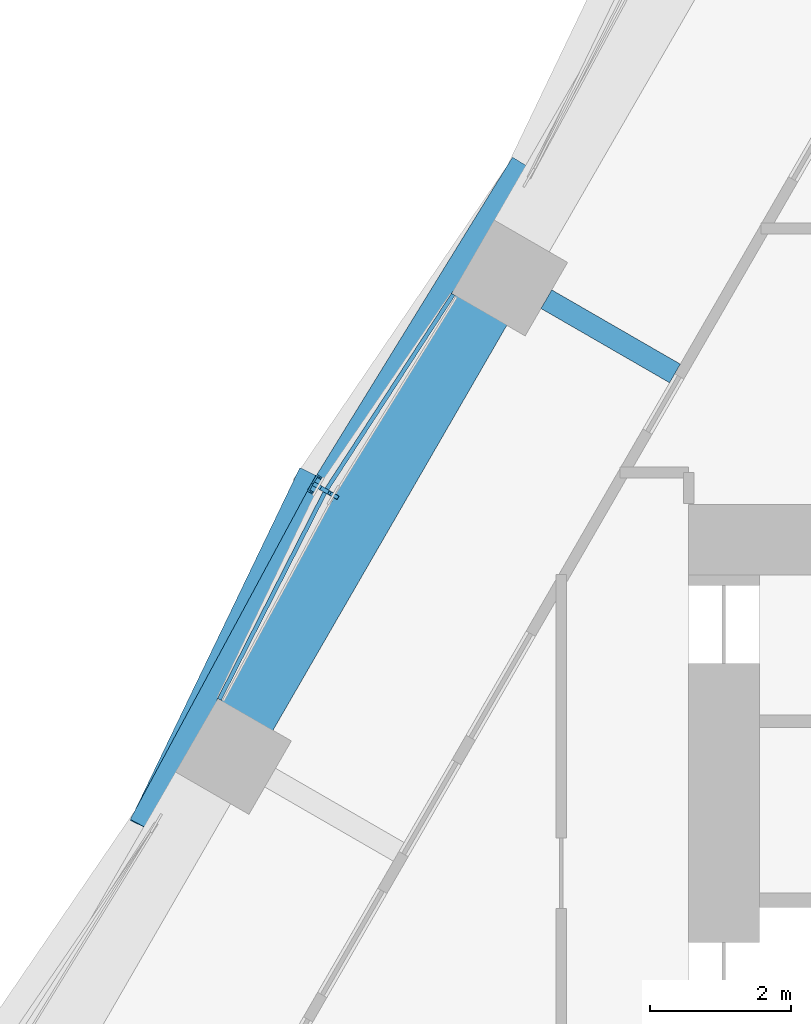
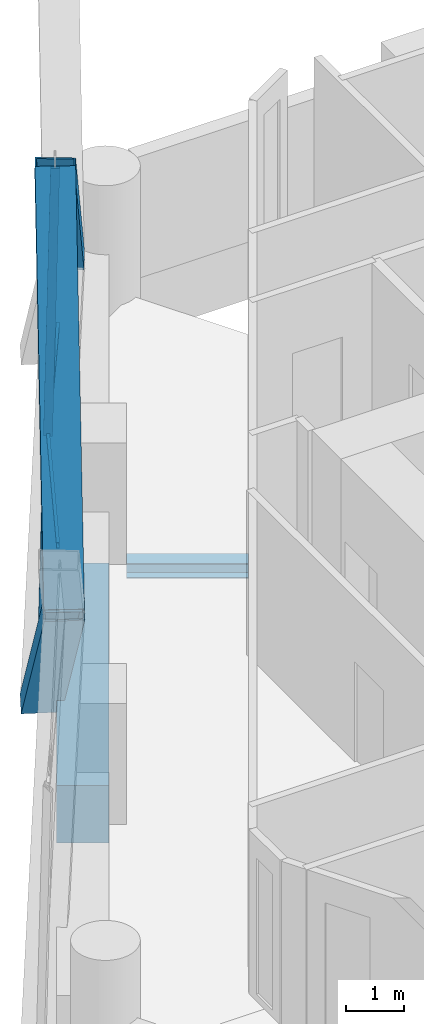
# One storey, part 5 of 21: 7 members, 2 beams, 2 elements without a shape of their own.
"""IFC4 building model written with IfcOpenShell, lengths in metres."""

from ifc_helpers import new_model, si_unit, direction, frame, origin, origin_2d, place, context, subcontext, project, spatial, rectangle, hollow_rectangle, i_section, extrude, material, material_profile, profile_set, type_object, element, aggregate, save


model = new_model("IFC4")

# Units and contexts
model_context = context("Model", 3, precision=1e-05, world=origin(), true_north=direction((0.0, 1.0)))
body_context = subcontext(model_context, "Body", "Model", "MODEL_VIEW")
ifc_project = project(units=[si_unit("LENGTHUNIT", "METRE"), si_unit("AREAUNIT", "SQUARE_METRE"), si_unit("VOLUMEUNIT", "CUBIC_METRE"), si_unit("PLANEANGLEUNIT", "RADIAN"), si_unit("MASSUNIT", "GRAM", prefix="KILO")], contexts=[model_context])

# Site, building, storey
site_placement = place(None, origin())
site = spatial("IfcSite", under=ifc_project, at=site_placement, CompositionType="ELEMENT")
building_placement = place(site_placement, origin())
building = spatial("IfcBuilding", under=site, at=building_placement, Name="Ostrander Bayou Hotel Tower", CompositionType="ELEMENT")
storey_placement = place(building_placement, frame((0.0, 0.0, 116.0)))
storey = spatial("IfcBuildingStorey", under=building, at=storey_placement, Name="L28", CompositionType="ELEMENT", Elevation=116.0)

# Curtain wall, members
ifc_material_1 = material(Name="Aluminium and clear glass", Category="aluminium")
curtain_wall_type = type_object("IfcCurtainWallType", Name="CW-LAT lattice glazing", PredefinedType="NOTDEFINED", material=ifc_material_1)
curtain_wall_1_placement = place(storey_placement, origin())
curtain_wall_1 = element("IfcCurtainWall", 1, at=curtain_wall_1_placement, inside=storey, type_object=curtain_wall_type, Name="CW-LAT L28 NW 1", PredefinedType="NOTDEFINED")
ifc_material_2 = material(Name="Aluminium", Category="aluminium")
ifc_material_profile_1 = material_profile(ifc_material_2, hollow_rectangle(XDim=0.06005859375, YDim=0.159912109375, WallThickness=0.00390625, at=origin_2d()))
ifc_profile_set_1 = profile_set([ifc_material_profile_1], Name="Aluminium")
member_type_1 = type_object("IfcMemberType", Name="CW-LA mullion 60 x 160 mm", PredefinedType="MULLION", material=ifc_profile_set_1)
member_1_placement = place(storey_placement, frame((-17.23779296875, 9.9521484375, -0.60009765625), z_axis=(0.018875724526, -0.010891510014, 0.999762512817), x_axis=(0.499779910804, 0.866152435058, 0.0)))
member_1 = element("IfcMember", 2, at=member_1_placement, type_object=member_type_1, Name="CW-LAT mullion 4", PredefinedType="MULLION", context=body_context, shape_type="SweptSolid", body=[
    extrude(hollow_rectangle(XDim=0.06005859375, YDim=0.159912109375, WallThickness=0.00390625, at=origin_2d()), origin(), (0.0, 0.0, 1.0), 5.626220703125),
])
member_2_placement = place(storey_placement, frame((-17.131591796875, 9.890869140625, 5.02490234375), z_axis=(0.018919101482, -0.010891501083, 0.999761693007), x_axis=(0.498919206287, 0.866648501757, 0.0)))
member_2 = element("IfcMember", 3, at=member_2_placement, type_object=member_type_1, Name="CW-LAT mullion 5", PredefinedType="MULLION", context=body_context, shape_type="SweptSolid", body=[
    extrude(hollow_rectangle(XDim=0.06005859375, YDim=0.159912109375, WallThickness=0.00390625, at=origin_2d()), origin(), (0.0, 0.0, 1.0), 5.626220703125),
])
aggregate(curtain_wall_1, [member_1, member_2])

curtain_wall_2_placement = place(storey_placement, origin())
curtain_wall_2 = element("IfcCurtainWall", 4, at=curtain_wall_2_placement, inside=storey, type_object=curtain_wall_type, Name="CW-LAT L28 NW 2", PredefinedType="NOTDEFINED")
ifc_material_3 = material(Name="Aluminium", Category="aluminium")
ifc_material_profile_2 = material_profile(ifc_material_3, hollow_rectangle(XDim=0.06005859375, YDim=0.1201171875, WallThickness=0.00390625, at=origin_2d()))
ifc_profile_set_2 = profile_set([ifc_material_profile_2], Name="Aluminium")
member_type_2 = type_object("IfcMemberType", Name="CW-LA transom 60 x 120 mm", PredefinedType="USERDEFINED", material=ifc_profile_set_2)
member_3_placement = place(storey_placement, frame((-17.131591796875, 9.890869140625, 5.02490234375), z_axis=(0.544363615183, 0.838849363393, 0.0), x_axis=(-0.838849363393, 0.544363615183, 0.0)))
member_3 = element("IfcMember", 5, at=member_3_placement, type_object=member_type_2, Name="CW-LAT transom 6", ObjectType="TRANSOM", PredefinedType="USERDEFINED", context=body_context, shape_type="SweptSolid", body=[
    extrude(hollow_rectangle(XDim=0.06005859375, YDim=0.1201171875, WallThickness=0.00390625, at=origin_2d()), origin(), (0.0, 0.0, 1.0), 3.311279296875),
])
member_4_placement = place(storey_placement, frame((-17.131591796875, 9.890869140625, 5.02490234375), z_axis=(-0.454278100017, -0.890859926052, 0.0), x_axis=(0.890859926052, -0.454278100017, 0.0)))
member_4 = element("IfcMember", 6, at=member_4_placement, type_object=member_type_2, Name="CW-LAT transom 7", ObjectType="TRANSOM", PredefinedType="USERDEFINED", context=body_context, shape_type="SweptSolid", body=[
    extrude(hollow_rectangle(XDim=0.06005859375, YDim=0.1201171875, WallThickness=0.00390625, at=origin_2d()), origin(), (0.0, 0.0, 1.0), 3.31103515625),
])
aggregate(curtain_wall_2, [member_3, member_4])

# Beam
ifc_material_4 = material(Name="Steel ASTM A992", Category="steel")
ifc_material_profile_3 = material_profile(ifc_material_4, i_section(OverallWidth=0.3046875, OverallDepth=0.307861328125, WebThickness=0.010009765625, FlangeThickness=0.015380859375, at=origin_2d()))
ifc_profile_set_3 = profile_set([ifc_material_profile_3], Name="Steel ASTM A992")
beam_type_1 = type_object("IfcBeamType", Name="LB1 loggia bracket W12x65", PredefinedType="BEAM", material=ifc_profile_set_3)
beam_1_placement = place(storey_placement, frame((-14.011474609375, 12.6005859375, -0.453857421875), z_axis=(0.866038466041, -0.499977374825, 0.0), x_axis=(0.499977374825, 0.866038466041, 0.0)))
element("IfcBeam", 7, at=beam_1_placement, inside=storey, type_object=beam_type_1, Name="LB1 L28 NW1", PredefinedType="BEAM", context=body_context, shape_type="SweptSolid", body=[
    extrude(i_section(OverallWidth=0.3046875, OverallDepth=0.307861328125, WebThickness=0.010009765625, FlangeThickness=0.015380859375, at=origin_2d()), origin(), (0.0, 0.0, 1.0), 2.10009765625),
])

# Members
ifc_material_5 = material(Name="Steel ASTM A572 Gr 50", Category="steel")
ifc_material_profile_4 = material_profile(ifc_material_5, hollow_rectangle(XDim=0.699951171875, YDim=0.35009765625, WallThickness=0.02490234375, at=origin_2d()))
ifc_profile_set_4 = profile_set([ifc_material_profile_4], Name="Steel ASTM A572 Gr 50")
member_type_3 = type_object("IfcMemberType", Name="LT1 lattice member box 700 x 350 x 25 mm", PredefinedType="BRACE", material=ifc_profile_set_4)
member_5_placement = place(storey_placement, frame((-14.259033203125, 14.3173828125, 5.02490234375), z_axis=(-0.358805190685, -0.582132128435, 0.729644447783), x_axis=(0.851286025218, -0.524701918492, 0.0)))
element("IfcMember", 8, at=member_5_placement, inside=storey, type_object=member_type_3, Name="LT1 L28 NW 4", PredefinedType="BRACE", context=body_context, shape_type="SweptSolid", body=[
    extrude(hollow_rectangle(XDim=0.699951171875, YDim=0.35009765625, WallThickness=0.02490234375, at=origin_2d()), origin(), (0.0, 0.0, 1.0), 7.709228515625),
])
member_6_placement = place(storey_placement, frame((-19.52880859375, 5.18994140625, 5.02490234375), z_axis=(0.29683941413, 0.617023615943, -0.728812883796), x_axis=(-0.901142069182, 0.433523899169, 0.0)))
element("IfcMember", 9, at=member_6_placement, inside=storey, type_object=member_type_3, Name="LT1 L28 NW 5", PredefinedType="BRACE", context=body_context, shape_type="SweptSolid", body=[
    extrude(hollow_rectangle(XDim=0.699951171875, YDim=0.35009765625, WallThickness=0.02490234375, at=origin_2d()), origin(), (0.0, 0.0, 1.0), 7.718017578125),
])
member_7_placement = place(storey_placement, frame((-19.52880859375, 5.18994140625, 5.02490234375), z_axis=(0.324753272563, 0.60181484074, 0.729626075071), x_axis=(-0.880043984106, 0.474892183593, 0.0)))
element("IfcMember", 10, at=member_7_placement, inside=storey, type_object=member_type_3, Name="LT1 L28 NW 6", PredefinedType="BRACE", context=body_context, shape_type="SweptSolid", body=[
    extrude(hollow_rectangle(XDim=0.699951171875, YDim=0.35009765625, WallThickness=0.02490234375, at=origin_2d()), origin(), (0.0, 0.0, 1.0), 7.70947265625),
])

# Beam
ifc_material_6 = material(Name="Concrete f'c 70 MPa", Category="concrete")
ifc_material_profile_5 = material_profile(ifc_material_6, rectangle(XDim=0.89990234375, YDim=1.199951171875, at=origin_2d()))
ifc_profile_set_5 = profile_set([ifc_material_profile_5], Name="Concrete f'c 70 MPa")
beam_type_2 = type_object("IfcBeamType", Name="SP2 spandrel beam 900 x 1200 mm f'c 70 MPa", PredefinedType="SPANDREL", material=ifc_profile_set_5)
beam_2_placement = place(storey_placement, frame((-14.94580078125, 12.48193359375, -0.60009765625), z_axis=(-0.50001062018, -0.866019272134, 0.0), x_axis=(0.866019272134, -0.50001062018, 0.0)))
element("IfcBeam", 11, at=beam_2_placement, inside=storey, type_object=beam_type_2, Name="SP2 L28 NW-2", PredefinedType="SPANDREL", context=body_context, shape_type="SweptSolid", body=[
    extrude(rectangle(XDim=0.89990234375, YDim=1.199951171875, at=origin_2d()), origin(), (0.0, 0.0, 1.0), 6.673583984375),
])

save(model, "model.ifc")
